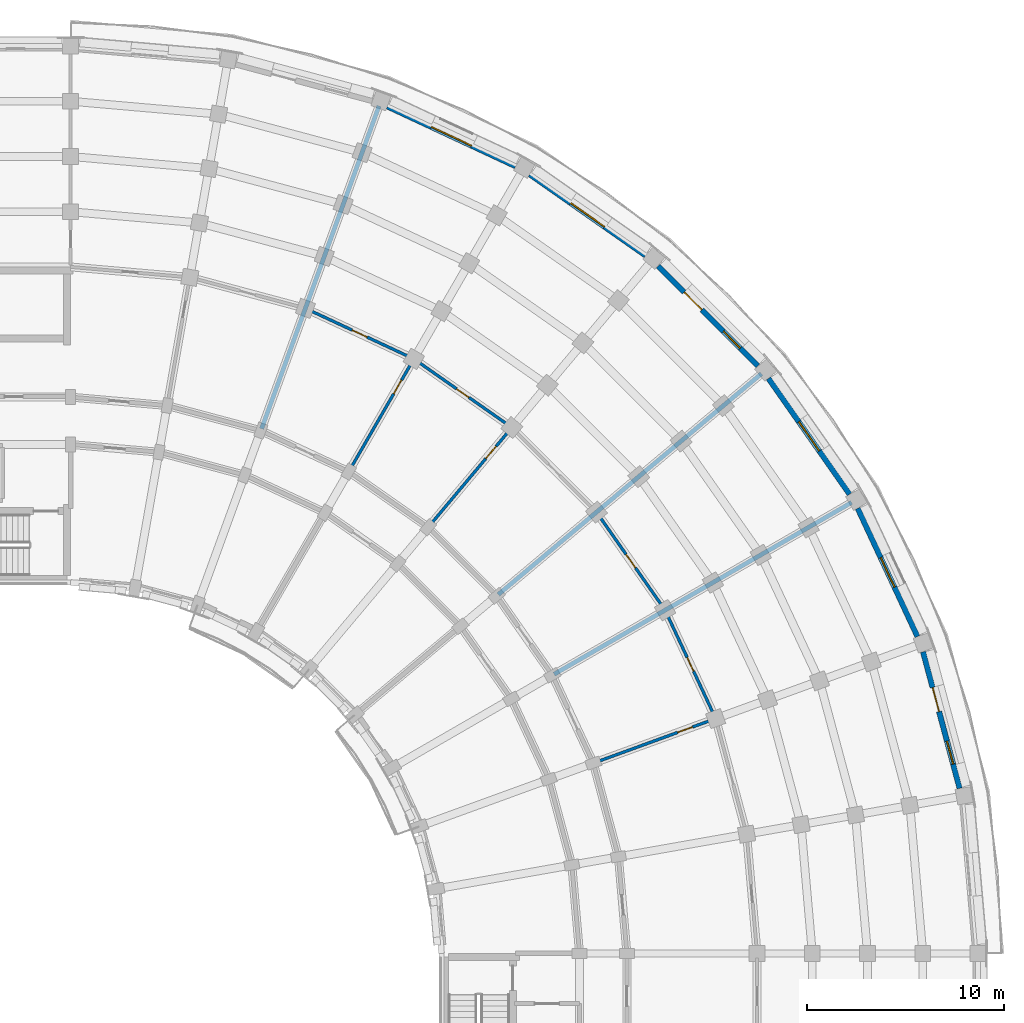
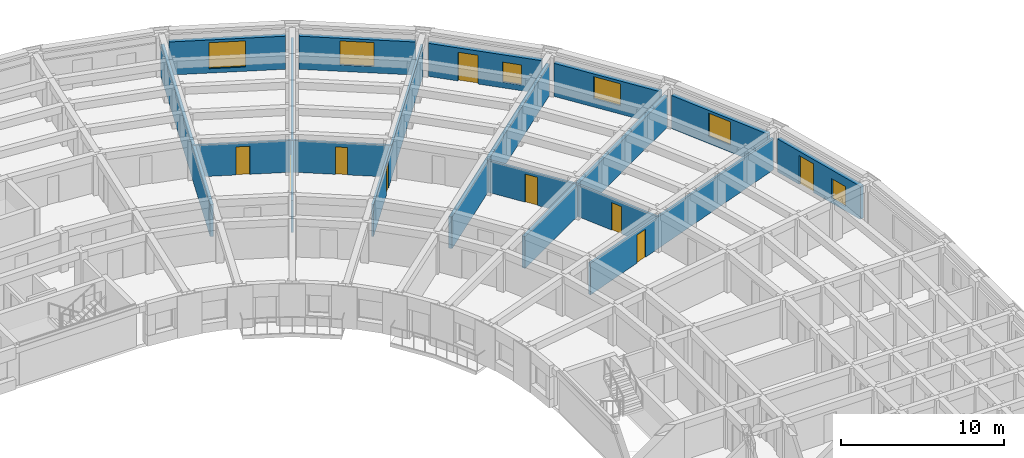
# One storey, part 54 of 76: 16 walls, 9 doors, 6 windows, 15 openings.
"""IFC4 building model written with IfcOpenShell, lengths in metres."""

from ifc_helpers import new_model, si_unit, direction, frame, frame_2d, origin, place, context, subcontext, project, spatial, rectangle, extrude, material, layer, layer_set, type_object, element, fill, save


model = new_model("IFC4")

# Units and contexts
model_context = context("Model", 3, precision=1e-05, world=origin(), true_north=direction((0.0, 1.0)))
body_context = subcontext(model_context, "Body", "Model", "MODEL_VIEW")
ifc_project = project(units=[si_unit("LENGTHUNIT", "METRE"), si_unit("AREAUNIT", "SQUARE_METRE"), si_unit("VOLUMEUNIT", "CUBIC_METRE"), si_unit("PLANEANGLEUNIT", "RADIAN"), si_unit("MASSUNIT", "GRAM", prefix="KILO")], contexts=[model_context])

# Site, building, storey
site_placement = place(None, origin())
site = spatial("IfcSite", under=ifc_project, at=site_placement, CompositionType="ELEMENT")
building_placement = place(site_placement, origin())
building = spatial("IfcBuilding", under=site, at=building_placement, Name="Kiranvali Square Residences", CompositionType="ELEMENT")
storey_placement = place(building_placement, frame((0.0, 0.0, 8.699951171875)))
storey = spatial("IfcBuildingStorey", under=building, at=storey_placement, Name="L02", CompositionType="ELEMENT", Elevation=8.699951171875)

# Walls
ifc_material_1 = material(Name="Autoclaved aerated concrete blockwork masonry", Category="masonry")
ifc_layer_1 = layer(ifc_material_1, 0.22998046875)
ifc_layer_set_1 = layer_set([ifc_layer_1], Name="Autoclaved aerated concrete blockwork masonry")
wall_type_1 = type_object("IfcWallType", Name="WL-DEM-230", PredefinedType="STANDARD", material=ifc_layer_set_1)
for number, where, z_axis, x_axis, name in (
    (1, (129.479248046875, 114.393310546875, 0.0), (0.0, 0.0, 1.0), (0.342022120477, 0.939691901159, 0.0), "L02 architectural wall WL-L02-B-RADO-2"),
    (2, (141.47900390625, 105.990966796875, 0.0), (0.0, 0.0, 1.0), (0.766046835987, 0.642784757967, 0.0), "L02 architectural wall WL-L02-B-RADO-5"),
    (3, (144.30859375, 101.949951171875, 0.0), (0.0, 0.0, 1.0), (0.866026648973, 0.499997843263, 0.0), "L02 architectural wall WL-L02-B-RADO-6"),
):
    element("IfcWall", number, at=place(storey_placement, frame(where, z_axis=z_axis, x_axis=x_axis)), inside=storey, type_object=wall_type_1, Name=name, PredefinedType="STANDARD", context=body_context, shape_type="SweptSolid", body=[
        extrude(rectangle(XDim=17.419921875, YDim=0.22998046875, at=frame_2d((8.7099609375, 0.0))), origin(), (0.0, 0.0, 1.0), 2.3720703125),
    ])

# Wall, opening, window
ifc_material_2 = material(Name="Breathable lime-rendered clay brick masonry", Category="masonry")
ifc_layer_2 = layer(ifc_material_2, 0.27490234375)
ifc_layer_set_2 = layer_set([ifc_layer_2], Name="Breathable lime-rendered clay brick masonry")
wall_type_2 = type_object("IfcWallType", Name="WL-EXT-275", PredefinedType="STANDARD", material=ifc_layer_set_2)
wall_1_placement = place(storey_placement, frame((135.8671875, 130.732177734375, 0.0), z_axis=(0.0, 0.0, 1.0), x_axis=(0.906300636296, -0.422633596215, 0.0)))
wall_1 = element("IfcWall", 4, at=wall_1_placement, inside=storey, type_object=wall_type_2, Name="L02 exterior wall B-L02-CRV-02", PredefinedType="STANDARD", context=body_context, shape_type="SweptSolid", body=[
    extrude(rectangle(XDim=7.164306640625, YDim=0.27490234375, at=frame_2d((3.58203125, 0.0))), origin(), (0.0, 0.0, 1.0), 2.47216796875),
])
opening_1_placement = place(wall_1_placement, frame((2.45703125, 0.0, 0.322021484375)))
opening_1 = element("IfcOpeningElement", 5, at=opening_1_placement, cuts=wall_1, Name="Opening W-11", PredefinedType="OPENING", context=body_context, shape_type="SweptSolid", body=[
    extrude(rectangle(XDim=2.25, YDim=1.949951171875, at=frame_2d((1.125, 0.97509765625))), frame((0.0, 0.1474609375, 0.0), z_axis=(0.0, -1.0, 0.0), x_axis=(1.0, 0.0, 0.0)), (0.0, 0.0, 1.0), 0.294921875),
])
ifc_material_3 = material(Name="Solar-control low-e double glazing", Category="glass")
window_type_1 = type_object("IfcWindowType", Name="WIN-RES-2250x1950", PartitioningType="TRIPLE_PANEL_VERTICAL", PredefinedType="WINDOW", material=ifc_material_3)
window_1_placement = place(opening_1_placement, origin())
window_1 = element("IfcWindow", 6, at=window_1_placement, inside=storey, type_object=window_type_1, Name="L02 recessed window B-L02-CRV-02", OverallHeight=1.949951171875, OverallWidth=2.25, PartitioningType="TRIPLE_PANEL_VERTICAL", PredefinedType="WINDOW", context=body_context, shape_type="SweptSolid", body=[
    extrude(rectangle(XDim=2.25, YDim=1.949951171875, at=frame_2d((1.125, 0.97509765625))), frame((0.0, 0.030029296875, 0.0), z_axis=(0.0, -1.0, 0.0), x_axis=(1.0, 0.0, 0.0)), (0.0, 0.0, 1.0), 0.06005859375),
])
fill(opening_1, window_1)

wall_2_placement = place(storey_placement, frame((143.078125, 127.289794921875, 0.0), z_axis=(0.0, 0.0, 1.0), x_axis=(0.819161471697, -0.573562972382, 0.0)))
wall_2 = element("IfcWall", 7, at=wall_2_placement, inside=storey, type_object=wall_type_2, Name="L02 exterior wall B-L02-CRV-03", PredefinedType="STANDARD", context=body_context, shape_type="SweptSolid", body=[
    extrude(rectangle(XDim=7.164306640625, YDim=0.27490234375, at=frame_2d((3.58203125, 0.0))), origin(), (0.0, 0.0, 1.0), 2.47216796875),
])
opening_2_placement = place(wall_2_placement, frame((2.531982421875, 0.0, 0.471923828125)))
opening_2 = element("IfcOpeningElement", 8, at=opening_2_placement, cuts=wall_2, Name="Opening W-03", PredefinedType="OPENING", context=body_context, shape_type="SweptSolid", body=[
    extrude(rectangle(XDim=2.10009765625, YDim=1.800048828125, at=frame_2d((1.050048828125, 0.89990234375))), frame((0.0, 0.1474609375, 0.0), z_axis=(0.0, -1.0, 0.0), x_axis=(1.0, 0.0, 0.0)), (0.0, 0.0, 1.0), 0.294921875),
])
window_type_2 = type_object("IfcWindowType", Name="WIN-RES-2100x1800", PartitioningType="TRIPLE_PANEL_VERTICAL", PredefinedType="WINDOW", material=ifc_material_3)
window_2_placement = place(opening_2_placement, origin())
window_2 = element("IfcWindow", 9, at=window_2_placement, inside=storey, type_object=window_type_2, Name="L02 recessed window B-L02-CRV-03", OverallHeight=1.800048828125, OverallWidth=2.10009765625, PartitioningType="TRIPLE_PANEL_VERTICAL", PredefinedType="WINDOW", context=body_context, shape_type="SweptSolid", body=[
    extrude(rectangle(XDim=2.10009765625, YDim=1.800048828125, at=frame_2d((1.050048828125, 0.89990234375))), frame((0.0, 0.030029296875, 0.0), z_axis=(0.0, -1.0, 0.0), x_axis=(1.0, 0.0, 0.0)), (0.0, 0.0, 1.0), 0.06005859375),
])
fill(opening_2, window_2)

# Wall, openings, door, window
wall_3_placement = place(storey_placement, frame((149.581787109375, 122.647705078125, 0.0), z_axis=(0.0, 0.0, 1.0), x_axis=(0.707106781187, -0.707106781187, 0.0)))
wall_3 = element("IfcWall", 10, at=wall_3_placement, inside=storey, type_object=wall_type_2, Name="L02 exterior wall B-L02-CRV-04", PredefinedType="STANDARD", context=body_context, shape_type="SweptSolid", body=[
    extrude(rectangle(XDim=7.164306640625, YDim=0.27490234375, at=frame_2d((3.58203125, 0.0))), origin(), (0.0, 0.0, 1.0), 2.47216796875),
])
opening_3_placement = place(wall_3_placement, frame((4.6904296875, 0.0, 0.422119140625)))
opening_3 = element("IfcOpeningElement", 11, at=opening_3_placement, cuts=wall_3, Name="Opening W-06", PredefinedType="OPENING", context=body_context, shape_type="SweptSolid", body=[
    extrude(rectangle(XDim=1.199951171875, YDim=1.5, at=frame_2d((0.60009765625, 0.75))), frame((0.0, 0.1474609375, 0.0), z_axis=(0.0, -1.0, 0.0), x_axis=(1.0, 0.0, 0.0)), (0.0, 0.0, 1.0), 0.294921875),
])
opening_4_placement = place(wall_3_placement, frame((1.87744140625, 0.0, 0.0)))
opening_4 = element("IfcOpeningElement", 12, at=opening_4_placement, cuts=wall_3, Name="Opening ED-BAL-2", PredefinedType="OPENING", context=body_context, shape_type="SweptSolid", body=[
    extrude(rectangle(XDim=1.260009765625, YDim=2.14990234375, at=frame_2d((0.6298828125, 1.074951171875))), frame((0.0, 0.1474609375, 0.0), z_axis=(0.0, -1.0, 0.0), x_axis=(1.0, 0.0, 0.0)), (0.0, 0.0, 1.0), 0.294921875),
])
ifc_material_4 = material(Name="Anodised bronze aluminium framing", Category="aluminium")
door_type_1 = type_object("IfcDoorType", Name="DR-BAL-1260", OperationType="NOTDEFINED", PredefinedType="DOOR", material=ifc_material_4)
door_1_placement = place(opening_4_placement, origin())
door_1 = element("IfcDoor", 13, at=door_1_placement, inside=storey, type_object=door_type_1, Name="L02 balcony terrace door", OperationType="SINGLE_SWING_RIGHT", OverallHeight=2.14990234375, OverallWidth=1.260009765625, PredefinedType="DOOR", context=body_context, shape_type="SweptSolid", body=[
    extrude(rectangle(XDim=1.260009765625, YDim=2.14990234375, at=frame_2d((0.6298828125, 1.074951171875))), frame((0.0, 0.02490234375, 0.0), z_axis=(0.0, -1.0, 0.0), x_axis=(1.0, 0.0, 0.0)), (0.0, 0.0, 1.0), 0.050048828125),
])
fill(opening_4, door_1)
window_type_3 = type_object("IfcWindowType", Name="WIN-RES-1200x1500", PartitioningType="SINGLE_PANEL", PredefinedType="WINDOW", material=ifc_material_3)
window_3_placement = place(opening_3_placement, origin())
window_3 = element("IfcWindow", 14, at=window_3_placement, inside=storey, type_object=window_type_3, Name="L02 recessed window B-L02-CRV-04", OverallHeight=1.5, OverallWidth=1.199951171875, PartitioningType="SINGLE_PANEL", PredefinedType="WINDOW", context=body_context, shape_type="SweptSolid", body=[
    extrude(rectangle(XDim=1.199951171875, YDim=1.5, at=frame_2d((0.60009765625, 0.75))), frame((0.0, 0.030029296875, 0.0), z_axis=(0.0, -1.0, 0.0), x_axis=(1.0, 0.0, 0.0)), (0.0, 0.0, 1.0), 0.06005859375),
])
fill(opening_3, window_3)

# Wall, opening, window
wall_4_placement = place(storey_placement, frame((155.1806640625, 116.94677734375, 0.0), z_axis=(0.0, 0.0, 1.0), x_axis=(0.573562972382, -0.819161471697, 0.0)))
wall_4 = element("IfcWall", 15, at=wall_4_placement, inside=storey, type_object=wall_type_2, Name="L02 exterior wall B-L02-CRV-05", PredefinedType="STANDARD", context=body_context, shape_type="SweptSolid", body=[
    extrude(rectangle(XDim=7.164306640625, YDim=0.27490234375, at=frame_2d((3.58203125, 0.0))), origin(), (0.0, 0.0, 1.0), 2.47216796875),
])
opening_5_placement = place(wall_4_placement, frame((2.68212890625, 0.0, 0.6220703125)))
opening_5 = element("IfcOpeningElement", 16, at=opening_5_placement, cuts=wall_4, Name="Opening W-04", PredefinedType="OPENING", context=body_context, shape_type="SweptSolid", body=[
    extrude(rectangle(XDim=1.800048828125, YDim=1.64990234375, at=frame_2d((0.89990234375, 0.824951171875))), frame((0.0, 0.1474609375, 0.0), z_axis=(0.0, -1.0, 0.0), x_axis=(1.0, 0.0, 0.0)), (0.0, 0.0, 1.0), 0.294921875),
])
window_type_4 = type_object("IfcWindowType", Name="WIN-RES-1800x1650", PartitioningType="DOUBLE_PANEL_VERTICAL", PredefinedType="WINDOW", material=ifc_material_3)
window_4_placement = place(opening_5_placement, origin())
window_4 = element("IfcWindow", 17, at=window_4_placement, inside=storey, type_object=window_type_4, Name="L02 recessed window B-L02-CRV-05", OverallHeight=1.64990234375, OverallWidth=1.800048828125, PartitioningType="DOUBLE_PANEL_VERTICAL", PredefinedType="WINDOW", context=body_context, shape_type="SweptSolid", body=[
    extrude(rectangle(XDim=1.800048828125, YDim=1.64990234375, at=frame_2d((0.89990234375, 0.824951171875))), frame((0.0, 0.030029296875, 0.0), z_axis=(0.0, -1.0, 0.0), x_axis=(1.0, 0.0, 0.0)), (0.0, 0.0, 1.0), 0.06005859375),
])
fill(opening_5, window_4)

wall_5_placement = place(storey_placement, frame((159.704345703125, 110.360107421875, 0.0), z_axis=(0.0, 0.0, 1.0), x_axis=(0.422633596215, -0.906300636296, 0.0)))
wall_5 = element("IfcWall", 18, at=wall_5_placement, inside=storey, type_object=wall_type_2, Name="L02 exterior wall B-L02-CRV-06", PredefinedType="STANDARD", context=body_context, shape_type="SweptSolid", body=[
    extrude(rectangle(XDim=7.164306640625, YDim=0.27490234375, at=frame_2d((3.58203125, 0.0))), origin(), (0.0, 0.0, 1.0), 2.47216796875),
])
opening_6_placement = place(wall_5_placement, frame((2.757080078125, 0.0, 0.52197265625)))
opening_6 = element("IfcOpeningElement", 19, at=opening_6_placement, cuts=wall_5, Name="Opening W-13", PredefinedType="OPENING", context=body_context, shape_type="SweptSolid", body=[
    extrude(rectangle(XDim=1.64990234375, YDim=1.75, at=frame_2d((0.824951171875, 0.875))), frame((0.0, 0.1474609375, 0.0), z_axis=(0.0, -1.0, 0.0), x_axis=(1.0, 0.0, 0.0)), (0.0, 0.0, 1.0), 0.294921875),
])
window_type_5 = type_object("IfcWindowType", Name="WIN-RES-1650x1750", PartitioningType="DOUBLE_PANEL_VERTICAL", PredefinedType="WINDOW", material=ifc_material_3)
window_5_placement = place(opening_6_placement, origin())
window_5 = element("IfcWindow", 20, at=window_5_placement, inside=storey, type_object=window_type_5, Name="L02 recessed window B-L02-CRV-06", OverallHeight=1.75, OverallWidth=1.64990234375, PartitioningType="DOUBLE_PANEL_VERTICAL", PredefinedType="WINDOW", context=body_context, shape_type="SweptSolid", body=[
    extrude(rectangle(XDim=1.64990234375, YDim=1.75, at=frame_2d((0.824951171875, 0.875))), frame((0.0, 0.030029296875, 0.0), z_axis=(0.0, -1.0, 0.0), x_axis=(1.0, 0.0, 0.0)), (0.0, 0.0, 1.0), 0.06005859375),
])
fill(opening_6, window_5)

# Wall, openings, door, window
wall_6_placement = place(storey_placement, frame((163.015625, 103.087890625, 0.0), z_axis=(0.0, 0.0, 1.0), x_axis=(0.258826933296, -0.965923712619, 0.0)))
wall_6 = element("IfcWall", 21, at=wall_6_placement, inside=storey, type_object=wall_type_2, Name="L02 exterior wall B-L02-CRV-07", PredefinedType="STANDARD", context=body_context, shape_type="SweptSolid", body=[
    extrude(rectangle(XDim=7.1640625, YDim=0.27490234375, at=frame_2d((3.58203125, 0.0))), origin(), (0.0, 0.0, 1.0), 2.47216796875),
])
opening_7_placement = place(wall_6_placement, frame((4.6904296875, 0.0, 0.322021484375)))
opening_7 = element("IfcOpeningElement", 22, at=opening_7_placement, cuts=wall_6, Name="Opening W-06", PredefinedType="OPENING", context=body_context, shape_type="SweptSolid", body=[
    extrude(rectangle(XDim=1.199951171875, YDim=1.5, at=frame_2d((0.60009765625, 0.75))), frame((0.0, 0.1474609375, 0.0), z_axis=(0.0, -1.0, 0.0), x_axis=(1.0, 0.0, 0.0)), (0.0, 0.0, 1.0), 0.294921875),
])
opening_8_placement = place(wall_6_placement, frame((1.87744140625, 0.0, 0.0)))
opening_8 = element("IfcOpeningElement", 23, at=opening_8_placement, cuts=wall_6, Name="Opening ED-BAL-2", PredefinedType="OPENING", context=body_context, shape_type="SweptSolid", body=[
    extrude(rectangle(XDim=1.260009765625, YDim=2.14990234375, at=frame_2d((0.6298828125, 1.074951171875))), frame((0.0, 0.1474609375, 0.0), z_axis=(0.0, -1.0, 0.0), x_axis=(1.0, 0.0, 0.0)), (0.0, 0.0, 1.0), 0.294921875),
])
door_2_placement = place(opening_8_placement, origin())
door_2 = element("IfcDoor", 24, at=door_2_placement, inside=storey, type_object=door_type_1, Name="L02 balcony terrace door", OperationType="SINGLE_SWING_LEFT", OverallHeight=2.14990234375, OverallWidth=1.260009765625, PredefinedType="DOOR", context=body_context, shape_type="SweptSolid", body=[
    extrude(rectangle(XDim=1.260009765625, YDim=2.14990234375, at=frame_2d((0.6298828125, 1.074951171875))), frame((0.0, 0.02490234375, 0.0), z_axis=(0.0, -1.0, 0.0), x_axis=(1.0, 0.0, 0.0)), (0.0, 0.0, 1.0), 0.050048828125),
])
fill(opening_8, door_2)
window_6_placement = place(opening_7_placement, origin())
window_6 = element("IfcWindow", 25, at=window_6_placement, inside=storey, type_object=window_type_3, Name="L02 recessed window B-L02-CRV-07", OverallHeight=1.5, OverallWidth=1.199951171875, PartitioningType="SINGLE_PANEL", PredefinedType="WINDOW", context=body_context, shape_type="SweptSolid", body=[
    extrude(rectangle(XDim=1.199951171875, YDim=1.5, at=frame_2d((0.60009765625, 0.75))), frame((0.0, 0.030029296875, 0.0), z_axis=(0.0, -1.0, 0.0), x_axis=(1.0, 0.0, 0.0)), (0.0, 0.0, 1.0), 0.06005859375),
])
fill(opening_7, window_6)

# Wall, opening, door
ifc_material_5 = material(Name="Acoustic gypsum board drylined partition", Category="gypsum")
ifc_layer_3 = layer(ifc_material_5, 0.14990234375)
ifc_layer_set_3 = layer_set([ifc_layer_3], Name="Acoustic gypsum board drylined partition")
wall_type_3 = type_object("IfcWallType", Name="WL-PRT-150", PredefinedType="PARTITIONING", material=ifc_layer_set_3)
wall_7_placement = place(storey_placement, frame((133.949951171875, 112.30859375, 0.0), z_axis=(0.0, 0.0, 1.0), x_axis=(0.499997843263, 0.866026648973, 0.0)))
wall_7 = element("IfcWall", 26, at=wall_7_placement, inside=storey, type_object=wall_type_3, Name="L02 architectural wall WL-L02-B-RADO-3", PredefinedType="PARTITIONING", context=body_context, shape_type="SweptSolid", body=[
    extrude(rectangle(XDim=17.419921875, YDim=0.14990234375, at=frame_2d((8.7099609375, 0.0))), origin(), (0.0, 0.0, 1.0), 2.3720703125),
])
opening_9_placement = place(wall_7_placement, frame((4.44970703125, 0.0, 0.0)))
opening_9 = element("IfcOpeningElement", 27, at=opening_9_placement, cuts=wall_7, Name="Opening ID-WET", PredefinedType="OPENING", context=body_context, shape_type="SweptSolid", body=[
    extrude(rectangle(XDim=0.800048828125, YDim=2.10009765625, at=frame_2d((0.39990234375, 1.050048828125))), frame((0.0, 0.0849609375, 0.0), z_axis=(0.0, -1.0, 0.0), x_axis=(1.0, 0.0, 0.0)), (0.0, 0.0, 1.0), 0.169921875),
])
ifc_material_6 = material(Name="Solid seasoned teak hardwood joinery", Category="wood")
door_type_2 = type_object("IfcDoorType", Name="DR-WET-800", OperationType="NOTDEFINED", PredefinedType="DOOR", material=ifc_material_6)
door_3_placement = place(opening_9_placement, frame((0.800048828125, 0.0, 0.0), z_axis=(0.0, 0.0, 1.0), x_axis=(-1.0, 0.0, 0.0)))
door_3 = element("IfcDoor", 28, at=door_3_placement, inside=storey, type_object=door_type_2, Name="L02 door DR-L02-1092 (DR-WET-800)", OperationType="SINGLE_SWING_RIGHT", OverallHeight=2.10009765625, OverallWidth=0.800048828125, PredefinedType="DOOR", context=body_context, shape_type="SweptSolid", body=[
    extrude(rectangle(XDim=0.800048828125, YDim=2.10009765625, at=frame_2d((0.39990234375, 1.050048828125))), frame((0.0, 0.02490234375, 0.0), z_axis=(0.0, -1.0, 0.0), x_axis=(1.0, 0.0, 0.0)), (0.0, 0.0, 1.0), 0.050048828125),
])
fill(opening_9, door_3)

wall_8_placement = place(storey_placement, frame((137.990966796875, 109.47900390625, 0.0), z_axis=(0.0, 0.0, 1.0), x_axis=(0.642784757967, 0.766046835987, 0.0)))
wall_8 = element("IfcWall", 29, at=wall_8_placement, inside=storey, type_object=wall_type_3, Name="L02 architectural wall WL-L02-B-RADO-4", PredefinedType="PARTITIONING", context=body_context, shape_type="SweptSolid", body=[
    extrude(rectangle(XDim=17.419921875, YDim=0.14990234375, at=frame_2d((8.7099609375, 0.0))), origin(), (0.0, 0.0, 1.0), 2.3720703125),
])
opening_10_placement = place(wall_8_placement, frame((4.44970703125, 0.0, 0.0)))
opening_10 = element("IfcOpeningElement", 30, at=opening_10_placement, cuts=wall_8, Name="Opening ID-WET", PredefinedType="OPENING", context=body_context, shape_type="SweptSolid", body=[
    extrude(rectangle(XDim=0.800048828125, YDim=2.10009765625, at=frame_2d((0.39990234375, 1.050048828125))), frame((0.0, 0.0849609375, 0.0), z_axis=(0.0, -1.0, 0.0), x_axis=(1.0, 0.0, 0.0)), (0.0, 0.0, 1.0), 0.169921875),
])
door_4_placement = place(opening_10_placement, origin())
door_4 = element("IfcDoor", 31, at=door_4_placement, inside=storey, type_object=door_type_2, Name="L02 door DR-L02-1093 (DR-WET-800)", OperationType="SINGLE_SWING_LEFT", OverallHeight=2.10009765625, OverallWidth=0.800048828125, PredefinedType="DOOR", context=body_context, shape_type="SweptSolid", body=[
    extrude(rectangle(XDim=0.800048828125, YDim=2.10009765625, at=frame_2d((0.39990234375, 1.050048828125))), frame((0.0, 0.02490234375, 0.0), z_axis=(0.0, -1.0, 0.0), x_axis=(1.0, 0.0, 0.0)), (0.0, 0.0, 1.0), 0.050048828125),
])
fill(opening_10, door_4)

wall_9_placement = place(storey_placement, frame((146.393310546875, 97.479248046875, 0.0), z_axis=(0.0, 0.0, 1.0), x_axis=(0.939691901159, 0.342022120477, 0.0)))
wall_9 = element("IfcWall", 32, at=wall_9_placement, inside=storey, type_object=wall_type_3, Name="L02 architectural wall WL-L02-B-RADO-7", PredefinedType="PARTITIONING", context=body_context, shape_type="SweptSolid", body=[
    extrude(rectangle(XDim=17.419921875, YDim=0.14990234375, at=frame_2d((8.7099609375, 0.0))), origin(), (0.0, 0.0, 1.0), 2.3720703125),
])
opening_11_placement = place(wall_9_placement, frame((4.44970703125, 0.0, 0.0)))
opening_11 = element("IfcOpeningElement", 33, at=opening_11_placement, cuts=wall_9, Name="Opening ID-WET", PredefinedType="OPENING", context=body_context, shape_type="SweptSolid", body=[
    extrude(rectangle(XDim=0.800048828125, YDim=2.10009765625, at=frame_2d((0.39990234375, 1.050048828125))), frame((0.0, 0.0849609375, 0.0), z_axis=(0.0, -1.0, 0.0), x_axis=(1.0, 0.0, 0.0)), (0.0, 0.0, 1.0), 0.169921875),
])
door_5_placement = place(opening_11_placement, frame((0.800048828125, 0.0, 0.0), z_axis=(0.0, 0.0, 1.0), x_axis=(-1.0, 0.0, 0.0)))
door_5 = element("IfcDoor", 34, at=door_5_placement, inside=storey, type_object=door_type_2, Name="L02 door DR-L02-1094 (DR-WET-800)", OperationType="SINGLE_SWING_RIGHT", OverallHeight=2.10009765625, OverallWidth=0.800048828125, PredefinedType="DOOR", context=body_context, shape_type="SweptSolid", body=[
    extrude(rectangle(XDim=0.800048828125, YDim=2.10009765625, at=frame_2d((0.39990234375, 1.050048828125))), frame((0.0, 0.02490234375, 0.0), z_axis=(0.0, -1.0, 0.0), x_axis=(1.0, 0.0, 0.0)), (0.0, 0.0, 1.0), 0.050048828125),
])
fill(opening_11, door_5)

ifc_layer_4 = layer(ifc_material_1, 0.14990234375)
ifc_layer_set_4 = layer_set([ifc_layer_4], Name="Autoclaved aerated concrete blockwork masonry")
wall_type_4 = type_object("IfcWallType", Name="WL-WET-150", PredefinedType="PLUMBINGWALL", material=ifc_layer_set_4)
wall_10_placement = place(storey_placement, frame((131.702392578125, 120.501220703125, 0.0), z_axis=(0.0, 0.0, 1.0), x_axis=(0.906312656069, -0.42260781991, 0.0)))
wall_10 = element("IfcWall", 35, at=wall_10_placement, inside=storey, type_object=wall_type_4, Name="L02 architectural wall WL-L02-B-CWET-2", PredefinedType="PLUMBINGWALL", context=body_context, shape_type="SweptSolid", body=[
    extrude(rectangle(XDim=6.06591796875, YDim=0.14990234375, at=frame_2d((3.032958984375, 0.0))), origin(), (0.0, 0.0, 1.0), 2.3720703125),
])
opening_12_placement = place(wall_10_placement, frame((2.613037109375, 0.0, 0.0)))
opening_12 = element("IfcOpeningElement", 36, at=opening_12_placement, cuts=wall_10, Name="Opening ID-WET2", PredefinedType="OPENING", context=body_context, shape_type="SweptSolid", body=[
    extrude(rectangle(XDim=0.840087890625, YDim=2.10009765625, at=frame_2d((0.419921875, 1.050048828125))), frame((0.0, 0.0849609375, 0.0), z_axis=(0.0, -1.0, 0.0), x_axis=(1.0, 0.0, 0.0)), (0.0, 0.0, 1.0), 0.169921875),
])
door_type_3 = type_object("IfcDoorType", Name="DR-WET-840", OperationType="NOTDEFINED", PredefinedType="DOOR", material=ifc_material_6)
door_6_placement = place(opening_12_placement, origin())
door_6 = element("IfcDoor", 37, at=door_6_placement, inside=storey, type_object=door_type_3, Name="L02 door DR-L02-1099 (DR-WET-840)", OperationType="SINGLE_SWING_LEFT", OverallHeight=2.10009765625, OverallWidth=0.840087890625, PredefinedType="DOOR", context=body_context, shape_type="SweptSolid", body=[
    extrude(rectangle(XDim=0.840087890625, YDim=2.10009765625, at=frame_2d((0.419921875, 1.050048828125))), frame((0.0, 0.02490234375, 0.0), z_axis=(0.0, -1.0, 0.0), x_axis=(1.0, 0.0, 0.0)), (0.0, 0.0, 1.0), 0.050048828125),
])
fill(opening_12, door_6)

wall_11_placement = place(storey_placement, frame((137.199951171875, 117.937744140625, 0.0), z_axis=(0.0, 0.0, 1.0), x_axis=(0.81913926159, -0.573594691504, 0.0)))
wall_11 = element("IfcWall", 38, at=wall_11_placement, inside=storey, type_object=wall_type_4, Name="L02 architectural wall WL-L02-B-CWET-3", PredefinedType="PLUMBINGWALL", context=body_context, shape_type="SweptSolid", body=[
    extrude(rectangle(XDim=6.066162109375, YDim=0.14990234375, at=frame_2d((3.033203125, 0.0))), origin(), (0.0, 0.0, 1.0), 2.3720703125),
])
opening_13_placement = place(wall_11_placement, frame((2.653076171875, 0.0, 0.0)))
opening_13 = element("IfcOpeningElement", 39, at=opening_13_placement, cuts=wall_11, Name="Opening ID-WET0", PredefinedType="OPENING", context=body_context, shape_type="SweptSolid", body=[
    extrude(rectangle(XDim=0.760009765625, YDim=2.050048828125, at=frame_2d((0.3798828125, 1.02490234375))), frame((0.0, 0.0849609375, 0.0), z_axis=(0.0, -1.0, 0.0), x_axis=(1.0, 0.0, 0.0)), (0.0, 0.0, 1.0), 0.169921875),
])
door_type_4 = type_object("IfcDoorType", Name="DR-WET-760", OperationType="NOTDEFINED", PredefinedType="DOOR", material=ifc_material_6)
door_7_placement = place(opening_13_placement, frame((0.760009765625, 0.0, 0.0), z_axis=(0.0, 0.0, 1.0), x_axis=(-1.0, 0.0, 0.0)))
door_7 = element("IfcDoor", 40, at=door_7_placement, inside=storey, type_object=door_type_4, Name="L02 door DR-L02-1100 (DR-WET-760)", OperationType="SINGLE_SWING_RIGHT", OverallHeight=2.050048828125, OverallWidth=0.760009765625, PredefinedType="DOOR", context=body_context, shape_type="SweptSolid", body=[
    extrude(rectangle(XDim=0.760009765625, YDim=2.050048828125, at=frame_2d((0.3798828125, 1.02490234375))), frame((0.0, 0.02490234375, 0.0), z_axis=(0.0, -1.0, 0.0), x_axis=(1.0, 0.0, 0.0)), (0.0, 0.0, 1.0), 0.050048828125),
])
fill(opening_13, door_7)

wall_12_placement = place(storey_placement, frame((146.458251953125, 110.1689453125, 0.0), z_axis=(0.0, 0.0, 1.0), x_axis=(0.573594691504, -0.81913926159, 0.0)))
wall_12 = element("IfcWall", 41, at=wall_12_placement, inside=storey, type_object=wall_type_4, Name="L02 architectural wall WL-L02-B-CWET-5", PredefinedType="PLUMBINGWALL", context=body_context, shape_type="SweptSolid", body=[
    extrude(rectangle(XDim=6.066162109375, YDim=0.14990234375, at=frame_2d((3.033203125, 0.0))), origin(), (0.0, 0.0, 1.0), 2.3720703125),
])
opening_14_placement = place(wall_12_placement, frame((2.613037109375, 0.0, 0.0)))
opening_14 = element("IfcOpeningElement", 42, at=opening_14_placement, cuts=wall_12, Name="Opening ID-WET2", PredefinedType="OPENING", context=body_context, shape_type="SweptSolid", body=[
    extrude(rectangle(XDim=0.840087890625, YDim=2.10009765625, at=frame_2d((0.419921875, 1.050048828125))), frame((0.0, 0.0849609375, 0.0), z_axis=(0.0, -1.0, 0.0), x_axis=(1.0, 0.0, 0.0)), (0.0, 0.0, 1.0), 0.169921875),
])
door_8_placement = place(opening_14_placement, origin())
door_8 = element("IfcDoor", 43, at=door_8_placement, inside=storey, type_object=door_type_3, Name="L02 door DR-L02-1103 (DR-WET-840)", OperationType="SINGLE_SWING_LEFT", OverallHeight=2.10009765625, OverallWidth=0.840087890625, PredefinedType="DOOR", context=body_context, shape_type="SweptSolid", body=[
    extrude(rectangle(XDim=0.840087890625, YDim=2.10009765625, at=frame_2d((0.419921875, 1.050048828125))), frame((0.0, 0.02490234375, 0.0), z_axis=(0.0, -1.0, 0.0), x_axis=(1.0, 0.0, 0.0)), (0.0, 0.0, 1.0), 0.050048828125),
])
fill(opening_14, door_8)

wall_13_placement = place(storey_placement, frame((149.937744140625, 105.199951171875, 0.0), z_axis=(0.0, 0.0, 1.0), x_axis=(0.42260781991, -0.906312656069, 0.0)))
wall_13 = element("IfcWall", 44, at=wall_13_placement, inside=storey, type_object=wall_type_4, Name="L02 architectural wall WL-L02-B-CWET-6", PredefinedType="PLUMBINGWALL", context=body_context, shape_type="SweptSolid", body=[
    extrude(rectangle(XDim=6.06591796875, YDim=0.14990234375, at=frame_2d((3.032958984375, 0.0))), origin(), (0.0, 0.0, 1.0), 2.3720703125),
])
opening_15_placement = place(wall_13_placement, frame((2.653076171875, 0.0, 0.0)))
opening_15 = element("IfcOpeningElement", 45, at=opening_15_placement, cuts=wall_13, Name="Opening ID-WET0", PredefinedType="OPENING", context=body_context, shape_type="SweptSolid", body=[
    extrude(rectangle(XDim=0.760009765625, YDim=2.050048828125, at=frame_2d((0.3798828125, 1.02490234375))), frame((0.0, 0.0849609375, 0.0), z_axis=(0.0, -1.0, 0.0), x_axis=(1.0, 0.0, 0.0)), (0.0, 0.0, 1.0), 0.169921875),
])
door_9_placement = place(opening_15_placement, origin())
door_9 = element("IfcDoor", 46, at=door_9_placement, inside=storey, type_object=door_type_4, Name="L02 door DR-L02-1105 (DR-WET-760)", OperationType="SINGLE_SWING_LEFT", OverallHeight=2.050048828125, OverallWidth=0.760009765625, PredefinedType="DOOR", context=body_context, shape_type="SweptSolid", body=[
    extrude(rectangle(XDim=0.760009765625, YDim=2.050048828125, at=frame_2d((0.3798828125, 1.02490234375))), frame((0.0, 0.02490234375, 0.0), z_axis=(0.0, -1.0, 0.0), x_axis=(1.0, 0.0, 0.0)), (0.0, 0.0, 1.0), 0.050048828125),
])
fill(opening_15, door_9)

save(model, "model.ifc")
